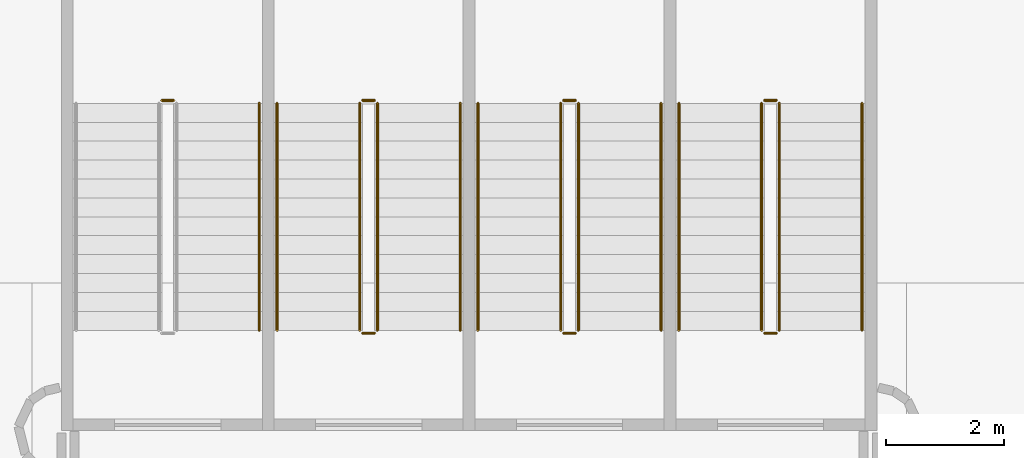
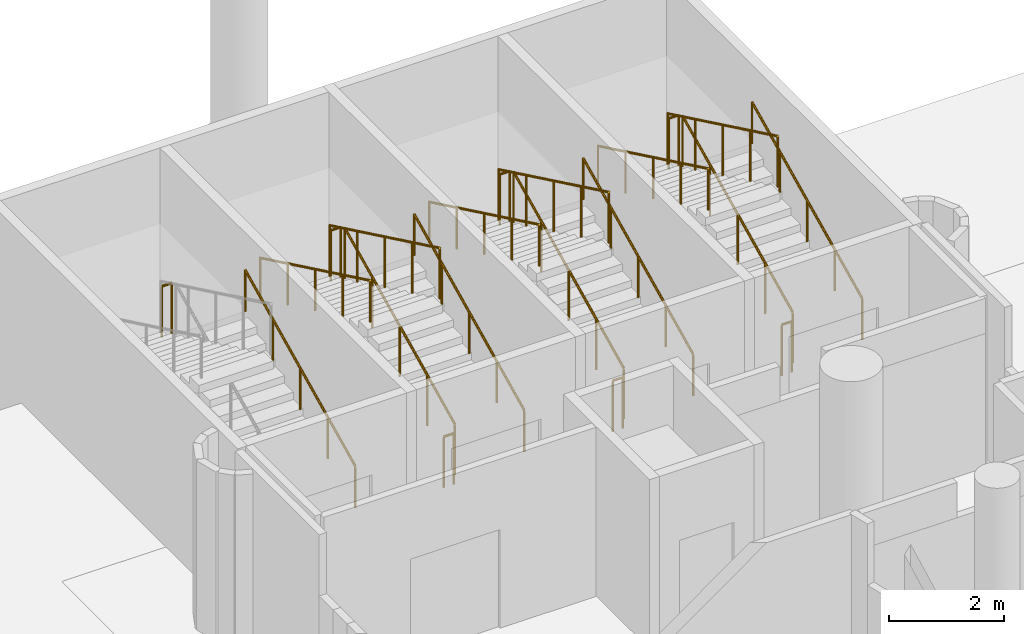
# One storey, part 133 of 142: 20 railings.
"""IFC4 building model written with IfcOpenShell, lengths in metres."""

from ifc_helpers import new_model, si_unit, direction, frame, origin, origin_2d, place, context, subcontext, project, spatial, circle, extrude, material, type_object, element, save


model = new_model("IFC4")

# Units and contexts
model_context = context("Model", 3, precision=1e-05, world=origin(), true_north=direction((0.0, 1.0)))
body_context = subcontext(model_context, "Body", "Model", "MODEL_VIEW")
ifc_project = project(units=[si_unit("LENGTHUNIT", "METRE"), si_unit("AREAUNIT", "SQUARE_METRE"), si_unit("VOLUMEUNIT", "CUBIC_METRE"), si_unit("PLANEANGLEUNIT", "RADIAN"), si_unit("MASSUNIT", "GRAM", prefix="KILO")], contexts=[model_context])

# Site, building, storey
site_placement = place(None, origin())
site = spatial("IfcSite", under=ifc_project, at=site_placement, CompositionType="ELEMENT")
building_placement = place(site_placement, origin())
building = spatial("IfcBuilding", under=site, at=building_placement, Name="Meseta Stadium", CompositionType="ELEMENT")
storey_placement = place(building_placement, frame((0.0, 0.0, -4.0)))
storey = spatial("IfcBuildingStorey", under=building, at=storey_placement, Name="B1", CompositionType="ELEMENT", Elevation=-4.0)

# Railings
ifc_material_1 = material(Name="Steel S355", Category="steel")
railing_type_1 = type_object("IfcRailingType", Name="Stair guard 1100", PredefinedType="GUARDRAIL", material=ifc_material_1)
railing_1_placement = place(storey_placement, frame((-17.75, 95.199951171875, 0.15380859375)))
element("IfcRailing", 1, at=railing_1_placement, inside=storey, type_object=railing_type_1, Name="ST41 B1 guard 1", PredefinedType="GUARDRAIL", context=body_context, shape_type="SweptSolid", body=[
    extrude(circle(Radius=0.02392578125, at=origin_2d()), frame((0.0, 0.0, 1.076171875), z_axis=(0.0, 0.901252854825, 0.433293539843), x_axis=(-1.0, 0.0, 0.0)), (0.0, 0.0, 1.0), 4.2607421875),
    extrude(circle(Radius=0.02099609375, at=origin_2d()), origin(), (0.0, 0.0, 1.0), 1.052001953125),
    extrude(circle(Radius=0.02099609375, at=origin_2d()), frame((0.0, 0.9599609375, 0.46142578125)), (0.0, 0.0, 1.0), 1.052001953125),
    extrude(circle(Radius=0.02099609375, at=origin_2d()), frame((0.0, 1.919921875, 0.923095703125)), (0.0, 0.0, 1.0), 1.052001953125),
    extrude(circle(Radius=0.02099609375, at=origin_2d()), frame((0.0, 2.880126953125, 1.384765625)), (0.0, 0.0, 1.0), 1.052001953125),
    extrude(circle(Radius=0.02099609375, at=origin_2d()), frame((0.0, 3.840087890625, 1.84619140625)), (0.0, 0.0, 1.0), 1.052001953125),
])
railing_2_placement = place(storey_placement, frame((-17.800048828125, 99.090087890625, 2.0)))
element("IfcRailing", 2, at=railing_2_placement, inside=storey, type_object=railing_type_1, Name="ST41 B1 guard 2", PredefinedType="GUARDRAIL", context=body_context, shape_type="SweptSolid", body=[
    extrude(circle(Radius=0.02392578125, at=origin_2d()), frame((0.0, 0.0, 1.076171875), z_axis=(-1.0, 0.0, 0.0), x_axis=(0.0, -1.0, 0.0)), (0.0, 0.0, 1.0), 0.199951171875),
    extrude(circle(Radius=0.02099609375, at=origin_2d()), origin(), (0.0, 0.0, 1.0), 1.052001953125),
    extrude(circle(Radius=0.02099609375, at=origin_2d()), frame((-0.199951171875, 0.0, 0.0)), (0.0, 0.0, 1.0), 1.052001953125),
])
railing_3_placement = place(storey_placement, frame((-18.050048828125, 99.0400390625, 2.15380859375)))
element("IfcRailing", 3, at=railing_3_placement, inside=storey, type_object=railing_type_1, Name="ST41 B1 guard 3", PredefinedType="GUARDRAIL", context=body_context, shape_type="SweptSolid", body=[
    extrude(circle(Radius=0.02392578125, at=origin_2d()), frame((0.0, 0.0, 1.076171875), z_axis=(0.0, -0.901252854825, 0.433293539843), x_axis=(1.0, 0.0, 0.0)), (0.0, 0.0, 1.0), 4.2607421875),
    extrude(circle(Radius=0.02099609375, at=origin_2d()), origin(), (0.0, 0.0, 1.0), 1.052001953125),
    extrude(circle(Radius=0.02099609375, at=origin_2d()), frame((0.0, -0.9599609375, 0.46142578125)), (0.0, 0.0, 1.0), 1.052001953125),
    extrude(circle(Radius=0.02099609375, at=origin_2d()), frame((0.0, -1.919921875, 0.923095703125)), (0.0, 0.0, 1.0), 1.052001953125),
    extrude(circle(Radius=0.02099609375, at=origin_2d()), frame((0.0, -2.880126953125, 1.384765625)), (0.0, 0.0, 1.0), 1.052001953125),
    extrude(circle(Radius=0.02099609375, at=origin_2d()), frame((0.0, -3.840087890625, 1.84619140625)), (0.0, 0.0, 1.0), 1.052001953125),
])
railing_4_placement = place(storey_placement, frame((-17.800048828125, 95.14990234375, 0.0)))
element("IfcRailing", 4, at=railing_4_placement, inside=storey, type_object=railing_type_1, Name="ST41 B1 guard 4", PredefinedType="GUARDRAIL", context=body_context, shape_type="SweptSolid", body=[
    extrude(circle(Radius=0.02392578125, at=origin_2d()), frame((0.0, 0.0, 1.076171875), z_axis=(-1.0, 0.0, 0.0), x_axis=(0.0, -1.0, 0.0)), (0.0, 0.0, 1.0), 0.199951171875),
    extrude(circle(Radius=0.02099609375, at=origin_2d()), origin(), (0.0, 0.0, 1.0), 1.052001953125),
    extrude(circle(Radius=0.02099609375, at=origin_2d()), frame((-0.199951171875, 0.0, 0.0)), (0.0, 0.0, 1.0), 1.052001953125),
])
railing_5_placement = place(storey_placement, frame((-21.14990234375, 95.199951171875, 0.15380859375)))
element("IfcRailing", 5, at=railing_5_placement, inside=storey, type_object=railing_type_1, Name="ST42 B1 guard 1", PredefinedType="GUARDRAIL", context=body_context, shape_type="SweptSolid", body=[
    extrude(circle(Radius=0.02392578125, at=origin_2d()), frame((0.0, 0.0, 1.076171875), z_axis=(0.0, 0.901252854825, 0.433293539843), x_axis=(-1.0, 0.0, 0.0)), (0.0, 0.0, 1.0), 4.2607421875),
    extrude(circle(Radius=0.02099609375, at=origin_2d()), origin(), (0.0, 0.0, 1.0), 1.052001953125),
    extrude(circle(Radius=0.02099609375, at=origin_2d()), frame((0.0, 0.9599609375, 0.46142578125)), (0.0, 0.0, 1.0), 1.052001953125),
    extrude(circle(Radius=0.02099609375, at=origin_2d()), frame((0.0, 1.919921875, 0.923095703125)), (0.0, 0.0, 1.0), 1.052001953125),
    extrude(circle(Radius=0.02099609375, at=origin_2d()), frame((0.0, 2.880126953125, 1.384765625)), (0.0, 0.0, 1.0), 1.052001953125),
    extrude(circle(Radius=0.02099609375, at=origin_2d()), frame((0.0, 3.840087890625, 1.84619140625)), (0.0, 0.0, 1.0), 1.052001953125),
])
railing_6_placement = place(storey_placement, frame((-21.199951171875, 99.090087890625, 2.0)))
element("IfcRailing", 6, at=railing_6_placement, inside=storey, type_object=railing_type_1, Name="ST42 B1 guard 2", PredefinedType="GUARDRAIL", context=body_context, shape_type="SweptSolid", body=[
    extrude(circle(Radius=0.02392578125, at=origin_2d()), frame((0.0, 0.0, 1.076171875), z_axis=(-1.0, 0.0, 0.0), x_axis=(0.0, -1.0, 0.0)), (0.0, 0.0, 1.0), 0.199951171875),
    extrude(circle(Radius=0.02099609375, at=origin_2d()), origin(), (0.0, 0.0, 1.0), 1.052001953125),
    extrude(circle(Radius=0.02099609375, at=origin_2d()), frame((-0.199951171875, 0.0, 0.0)), (0.0, 0.0, 1.0), 1.052001953125),
])
railing_7_placement = place(storey_placement, frame((-21.449951171875, 99.0400390625, 2.15380859375)))
element("IfcRailing", 7, at=railing_7_placement, inside=storey, type_object=railing_type_1, Name="ST42 B1 guard 3", PredefinedType="GUARDRAIL", context=body_context, shape_type="SweptSolid", body=[
    extrude(circle(Radius=0.02392578125, at=origin_2d()), frame((0.0, 0.0, 1.076171875), z_axis=(0.0, -0.901252854825, 0.433293539843), x_axis=(1.0, 0.0, 0.0)), (0.0, 0.0, 1.0), 4.2607421875),
    extrude(circle(Radius=0.02099609375, at=origin_2d()), origin(), (0.0, 0.0, 1.0), 1.052001953125),
    extrude(circle(Radius=0.02099609375, at=origin_2d()), frame((0.0, -0.9599609375, 0.46142578125)), (0.0, 0.0, 1.0), 1.052001953125),
    extrude(circle(Radius=0.02099609375, at=origin_2d()), frame((0.0, -1.919921875, 0.923095703125)), (0.0, 0.0, 1.0), 1.052001953125),
    extrude(circle(Radius=0.02099609375, at=origin_2d()), frame((0.0, -2.880126953125, 1.384765625)), (0.0, 0.0, 1.0), 1.052001953125),
    extrude(circle(Radius=0.02099609375, at=origin_2d()), frame((0.0, -3.840087890625, 1.84619140625)), (0.0, 0.0, 1.0), 1.052001953125),
])
railing_8_placement = place(storey_placement, frame((-21.199951171875, 95.14990234375, 0.0)))
element("IfcRailing", 8, at=railing_8_placement, inside=storey, type_object=railing_type_1, Name="ST42 B1 guard 4", PredefinedType="GUARDRAIL", context=body_context, shape_type="SweptSolid", body=[
    extrude(circle(Radius=0.02392578125, at=origin_2d()), frame((0.0, 0.0, 1.076171875), z_axis=(-1.0, 0.0, 0.0), x_axis=(0.0, -1.0, 0.0)), (0.0, 0.0, 1.0), 0.199951171875),
    extrude(circle(Radius=0.02099609375, at=origin_2d()), origin(), (0.0, 0.0, 1.0), 1.052001953125),
    extrude(circle(Radius=0.02099609375, at=origin_2d()), frame((-0.199951171875, 0.0, 0.0)), (0.0, 0.0, 1.0), 1.052001953125),
])
railing_9_placement = place(storey_placement, frame((-24.550048828125, 95.199951171875, 0.15380859375)))
element("IfcRailing", 9, at=railing_9_placement, inside=storey, type_object=railing_type_1, Name="ST43 B1 guard 1", PredefinedType="GUARDRAIL", context=body_context, shape_type="SweptSolid", body=[
    extrude(circle(Radius=0.02392578125, at=origin_2d()), frame((0.0, 0.0, 1.076171875), z_axis=(0.0, 0.901252854825, 0.433293539843), x_axis=(-1.0, 0.0, 0.0)), (0.0, 0.0, 1.0), 4.2607421875),
    extrude(circle(Radius=0.02099609375, at=origin_2d()), origin(), (0.0, 0.0, 1.0), 1.052001953125),
    extrude(circle(Radius=0.02099609375, at=origin_2d()), frame((0.0, 0.9599609375, 0.46142578125)), (0.0, 0.0, 1.0), 1.052001953125),
    extrude(circle(Radius=0.02099609375, at=origin_2d()), frame((0.0, 1.919921875, 0.923095703125)), (0.0, 0.0, 1.0), 1.052001953125),
    extrude(circle(Radius=0.02099609375, at=origin_2d()), frame((0.0, 2.880126953125, 1.384765625)), (0.0, 0.0, 1.0), 1.052001953125),
    extrude(circle(Radius=0.02099609375, at=origin_2d()), frame((0.0, 3.840087890625, 1.84619140625)), (0.0, 0.0, 1.0), 1.052001953125),
])
railing_10_placement = place(storey_placement, frame((-24.60009765625, 99.090087890625, 2.0)))
element("IfcRailing", 10, at=railing_10_placement, inside=storey, type_object=railing_type_1, Name="ST43 B1 guard 2", PredefinedType="GUARDRAIL", context=body_context, shape_type="SweptSolid", body=[
    extrude(circle(Radius=0.02392578125, at=origin_2d()), frame((0.0, 0.0, 1.076171875), z_axis=(-1.0, 0.0, 0.0), x_axis=(0.0, -1.0, 0.0)), (0.0, 0.0, 1.0), 0.199951171875),
    extrude(circle(Radius=0.02099609375, at=origin_2d()), origin(), (0.0, 0.0, 1.0), 1.052001953125),
    extrude(circle(Radius=0.02099609375, at=origin_2d()), frame((-0.199951171875, 0.0, 0.0)), (0.0, 0.0, 1.0), 1.052001953125),
])
railing_11_placement = place(storey_placement, frame((-24.85009765625, 99.0400390625, 2.15380859375)))
element("IfcRailing", 11, at=railing_11_placement, inside=storey, type_object=railing_type_1, Name="ST43 B1 guard 3", PredefinedType="GUARDRAIL", context=body_context, shape_type="SweptSolid", body=[
    extrude(circle(Radius=0.02392578125, at=origin_2d()), frame((0.0, 0.0, 1.076171875), z_axis=(0.0, -0.901252854825, 0.433293539843), x_axis=(1.0, 0.0, 0.0)), (0.0, 0.0, 1.0), 4.2607421875),
    extrude(circle(Radius=0.02099609375, at=origin_2d()), origin(), (0.0, 0.0, 1.0), 1.052001953125),
    extrude(circle(Radius=0.02099609375, at=origin_2d()), frame((0.0, -0.9599609375, 0.46142578125)), (0.0, 0.0, 1.0), 1.052001953125),
    extrude(circle(Radius=0.02099609375, at=origin_2d()), frame((0.0, -1.919921875, 0.923095703125)), (0.0, 0.0, 1.0), 1.052001953125),
    extrude(circle(Radius=0.02099609375, at=origin_2d()), frame((0.0, -2.880126953125, 1.384765625)), (0.0, 0.0, 1.0), 1.052001953125),
    extrude(circle(Radius=0.02099609375, at=origin_2d()), frame((0.0, -3.840087890625, 1.84619140625)), (0.0, 0.0, 1.0), 1.052001953125),
])
for number, where, name in (
    (12, (-24.60009765625, 95.14990234375, 0.0), "ST43 B1 guard 4"),
    (13, (-28.0, 99.090087890625, 2.0), "ST44 B1 guard 2"),
):
    element("IfcRailing", number, at=place(storey_placement, frame(where)), inside=storey, type_object=railing_type_1, Name=name, PredefinedType="GUARDRAIL", context=body_context, shape_type="SweptSolid", body=[
        extrude(circle(Radius=0.02392578125, at=origin_2d()), frame((0.0, 0.0, 1.076171875), z_axis=(-1.0, 0.0, 0.0), x_axis=(0.0, -1.0, 0.0)), (0.0, 0.0, 1.0), 0.199951171875),
        extrude(circle(Radius=0.02099609375, at=origin_2d()), origin(), (0.0, 0.0, 1.0), 1.052001953125),
        extrude(circle(Radius=0.02099609375, at=origin_2d()), frame((-0.199951171875, 0.0, 0.0)), (0.0, 0.0, 1.0), 1.052001953125),
    ])
ifc_material_2 = material(Name="Steel S355", Category="steel")
railing_type_2 = type_object("IfcRailingType", Name="Stair handrail 900", PredefinedType="HANDRAIL", material=ifc_material_2)
railing_12_placement = place(storey_placement, frame((-16.35009765625, 95.199951171875, 0.15380859375)))
element("IfcRailing", 14, at=railing_12_placement, inside=storey, type_object=railing_type_2, Name="ST41 B1 handrail 1", PredefinedType="HANDRAIL", context=body_context, shape_type="SweptSolid", body=[
    extrude(circle(Radius=0.02392578125, at=origin_2d()), frame((0.0, 0.0, 0.8759765625), z_axis=(0.0, 0.901252854825, 0.433293539843), x_axis=(-1.0, 0.0, 0.0)), (0.0, 0.0, 1.0), 4.2607421875),
    extrude(circle(Radius=0.02099609375, at=origin_2d()), origin(), (0.0, 0.0, 1.0), 0.851806640625),
    extrude(circle(Radius=0.02099609375, at=origin_2d()), frame((0.0, 0.9599609375, 0.46142578125)), (0.0, 0.0, 1.0), 0.851806640625),
    extrude(circle(Radius=0.02099609375, at=origin_2d()), frame((0.0, 1.919921875, 0.923095703125)), (0.0, 0.0, 1.0), 0.851806640625),
    extrude(circle(Radius=0.02099609375, at=origin_2d()), frame((0.0, 2.880126953125, 1.384765625)), (0.0, 0.0, 1.0), 0.851806640625),
    extrude(circle(Radius=0.02099609375, at=origin_2d()), frame((0.0, 3.840087890625, 1.84619140625)), (0.0, 0.0, 1.0), 0.851806640625),
])
railing_13_placement = place(storey_placement, frame((-19.449951171875, 99.0400390625, 2.15380859375)))
element("IfcRailing", 15, at=railing_13_placement, inside=storey, type_object=railing_type_2, Name="ST41 B1 handrail 2", PredefinedType="HANDRAIL", context=body_context, shape_type="SweptSolid", body=[
    extrude(circle(Radius=0.02392578125, at=origin_2d()), frame((0.0, 0.0, 0.8759765625), z_axis=(0.0, -0.901252854825, 0.433293539843), x_axis=(1.0, 0.0, 0.0)), (0.0, 0.0, 1.0), 4.2607421875),
    extrude(circle(Radius=0.02099609375, at=origin_2d()), origin(), (0.0, 0.0, 1.0), 0.851806640625),
    extrude(circle(Radius=0.02099609375, at=origin_2d()), frame((0.0, -0.9599609375, 0.46142578125)), (0.0, 0.0, 1.0), 0.851806640625),
    extrude(circle(Radius=0.02099609375, at=origin_2d()), frame((0.0, -1.919921875, 0.923095703125)), (0.0, 0.0, 1.0), 0.851806640625),
    extrude(circle(Radius=0.02099609375, at=origin_2d()), frame((0.0, -2.880126953125, 1.384765625)), (0.0, 0.0, 1.0), 0.851806640625),
    extrude(circle(Radius=0.02099609375, at=origin_2d()), frame((0.0, -3.840087890625, 1.84619140625)), (0.0, 0.0, 1.0), 0.851806640625),
])
railing_14_placement = place(storey_placement, frame((-19.75, 95.199951171875, 0.15380859375)))
element("IfcRailing", 16, at=railing_14_placement, inside=storey, type_object=railing_type_2, Name="ST42 B1 handrail 1", PredefinedType="HANDRAIL", context=body_context, shape_type="SweptSolid", body=[
    extrude(circle(Radius=0.02392578125, at=origin_2d()), frame((0.0, 0.0, 0.8759765625), z_axis=(0.0, 0.901252854825, 0.433293539843), x_axis=(-1.0, 0.0, 0.0)), (0.0, 0.0, 1.0), 4.2607421875),
    extrude(circle(Radius=0.02099609375, at=origin_2d()), origin(), (0.0, 0.0, 1.0), 0.851806640625),
    extrude(circle(Radius=0.02099609375, at=origin_2d()), frame((0.0, 0.9599609375, 0.46142578125)), (0.0, 0.0, 1.0), 0.851806640625),
    extrude(circle(Radius=0.02099609375, at=origin_2d()), frame((0.0, 1.919921875, 0.923095703125)), (0.0, 0.0, 1.0), 0.851806640625),
    extrude(circle(Radius=0.02099609375, at=origin_2d()), frame((0.0, 2.880126953125, 1.384765625)), (0.0, 0.0, 1.0), 0.851806640625),
    extrude(circle(Radius=0.02099609375, at=origin_2d()), frame((0.0, 3.840087890625, 1.84619140625)), (0.0, 0.0, 1.0), 0.851806640625),
])
railing_15_placement = place(storey_placement, frame((-22.85009765625, 99.0400390625, 2.15380859375)))
element("IfcRailing", 17, at=railing_15_placement, inside=storey, type_object=railing_type_2, Name="ST42 B1 handrail 2", PredefinedType="HANDRAIL", context=body_context, shape_type="SweptSolid", body=[
    extrude(circle(Radius=0.02392578125, at=origin_2d()), frame((0.0, 0.0, 0.8759765625), z_axis=(0.0, -0.901252854825, 0.433293539843), x_axis=(1.0, 0.0, 0.0)), (0.0, 0.0, 1.0), 4.2607421875),
    extrude(circle(Radius=0.02099609375, at=origin_2d()), origin(), (0.0, 0.0, 1.0), 0.851806640625),
    extrude(circle(Radius=0.02099609375, at=origin_2d()), frame((0.0, -0.9599609375, 0.46142578125)), (0.0, 0.0, 1.0), 0.851806640625),
    extrude(circle(Radius=0.02099609375, at=origin_2d()), frame((0.0, -1.919921875, 0.923095703125)), (0.0, 0.0, 1.0), 0.851806640625),
    extrude(circle(Radius=0.02099609375, at=origin_2d()), frame((0.0, -2.880126953125, 1.384765625)), (0.0, 0.0, 1.0), 0.851806640625),
    extrude(circle(Radius=0.02099609375, at=origin_2d()), frame((0.0, -3.840087890625, 1.84619140625)), (0.0, 0.0, 1.0), 0.851806640625),
])
railing_16_placement = place(storey_placement, frame((-23.14990234375, 95.199951171875, 0.15380859375)))
element("IfcRailing", 18, at=railing_16_placement, inside=storey, type_object=railing_type_2, Name="ST43 B1 handrail 1", PredefinedType="HANDRAIL", context=body_context, shape_type="SweptSolid", body=[
    extrude(circle(Radius=0.02392578125, at=origin_2d()), frame((0.0, 0.0, 0.8759765625), z_axis=(0.0, 0.901252854825, 0.433293539843), x_axis=(-1.0, 0.0, 0.0)), (0.0, 0.0, 1.0), 4.2607421875),
    extrude(circle(Radius=0.02099609375, at=origin_2d()), origin(), (0.0, 0.0, 1.0), 0.851806640625),
    extrude(circle(Radius=0.02099609375, at=origin_2d()), frame((0.0, 0.9599609375, 0.46142578125)), (0.0, 0.0, 1.0), 0.851806640625),
    extrude(circle(Radius=0.02099609375, at=origin_2d()), frame((0.0, 1.919921875, 0.923095703125)), (0.0, 0.0, 1.0), 0.851806640625),
    extrude(circle(Radius=0.02099609375, at=origin_2d()), frame((0.0, 2.880126953125, 1.384765625)), (0.0, 0.0, 1.0), 0.851806640625),
    extrude(circle(Radius=0.02099609375, at=origin_2d()), frame((0.0, 3.840087890625, 1.84619140625)), (0.0, 0.0, 1.0), 0.851806640625),
])
railing_17_placement = place(storey_placement, frame((-26.25, 99.0400390625, 2.15380859375)))
element("IfcRailing", 19, at=railing_17_placement, inside=storey, type_object=railing_type_2, Name="ST43 B1 handrail 2", PredefinedType="HANDRAIL", context=body_context, shape_type="SweptSolid", body=[
    extrude(circle(Radius=0.02392578125, at=origin_2d()), frame((0.0, 0.0, 0.8759765625), z_axis=(0.0, -0.901252854825, 0.433293539843), x_axis=(1.0, 0.0, 0.0)), (0.0, 0.0, 1.0), 4.2607421875),
    extrude(circle(Radius=0.02099609375, at=origin_2d()), origin(), (0.0, 0.0, 1.0), 0.851806640625),
    extrude(circle(Radius=0.02099609375, at=origin_2d()), frame((0.0, -0.9599609375, 0.46142578125)), (0.0, 0.0, 1.0), 0.851806640625),
    extrude(circle(Radius=0.02099609375, at=origin_2d()), frame((0.0, -1.919921875, 0.923095703125)), (0.0, 0.0, 1.0), 0.851806640625),
    extrude(circle(Radius=0.02099609375, at=origin_2d()), frame((0.0, -2.880126953125, 1.384765625)), (0.0, 0.0, 1.0), 0.851806640625),
    extrude(circle(Radius=0.02099609375, at=origin_2d()), frame((0.0, -3.840087890625, 1.84619140625)), (0.0, 0.0, 1.0), 0.851806640625),
])
railing_18_placement = place(storey_placement, frame((-26.550048828125, 95.199951171875, 0.15380859375)))
element("IfcRailing", 20, at=railing_18_placement, inside=storey, type_object=railing_type_2, Name="ST44 B1 handrail 1", PredefinedType="HANDRAIL", context=body_context, shape_type="SweptSolid", body=[
    extrude(circle(Radius=0.02392578125, at=origin_2d()), frame((0.0, 0.0, 0.8759765625), z_axis=(0.0, 0.901252854825, 0.433293539843), x_axis=(-1.0, 0.0, 0.0)), (0.0, 0.0, 1.0), 4.2607421875),
    extrude(circle(Radius=0.02099609375, at=origin_2d()), origin(), (0.0, 0.0, 1.0), 0.851806640625),
    extrude(circle(Radius=0.02099609375, at=origin_2d()), frame((0.0, 0.9599609375, 0.46142578125)), (0.0, 0.0, 1.0), 0.851806640625),
    extrude(circle(Radius=0.02099609375, at=origin_2d()), frame((0.0, 1.919921875, 0.923095703125)), (0.0, 0.0, 1.0), 0.851806640625),
    extrude(circle(Radius=0.02099609375, at=origin_2d()), frame((0.0, 2.880126953125, 1.384765625)), (0.0, 0.0, 1.0), 0.851806640625),
    extrude(circle(Radius=0.02099609375, at=origin_2d()), frame((0.0, 3.840087890625, 1.84619140625)), (0.0, 0.0, 1.0), 0.851806640625),
])

save(model, "model.ifc")
